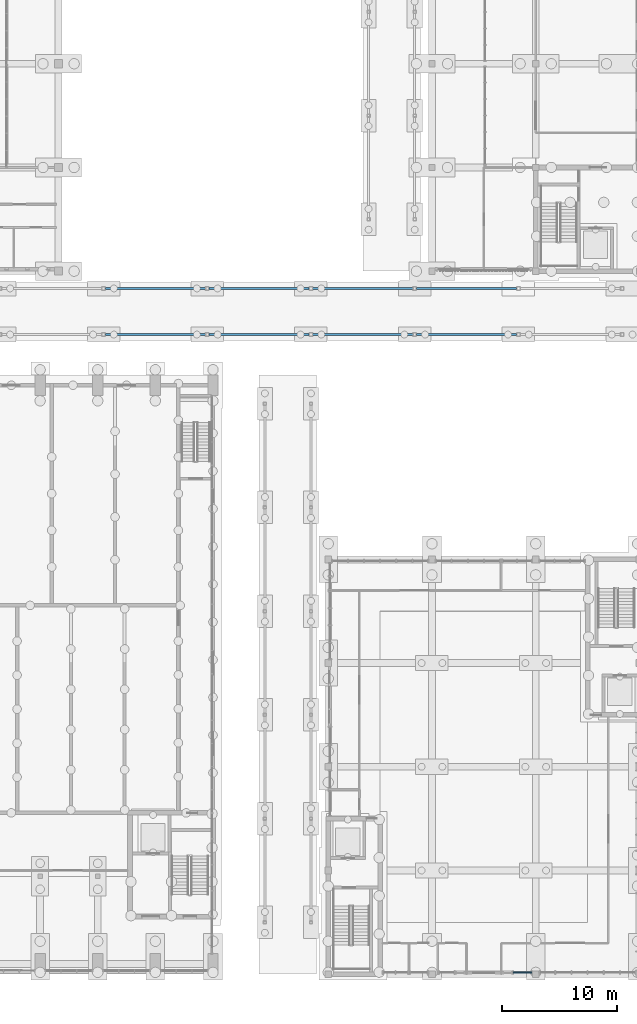
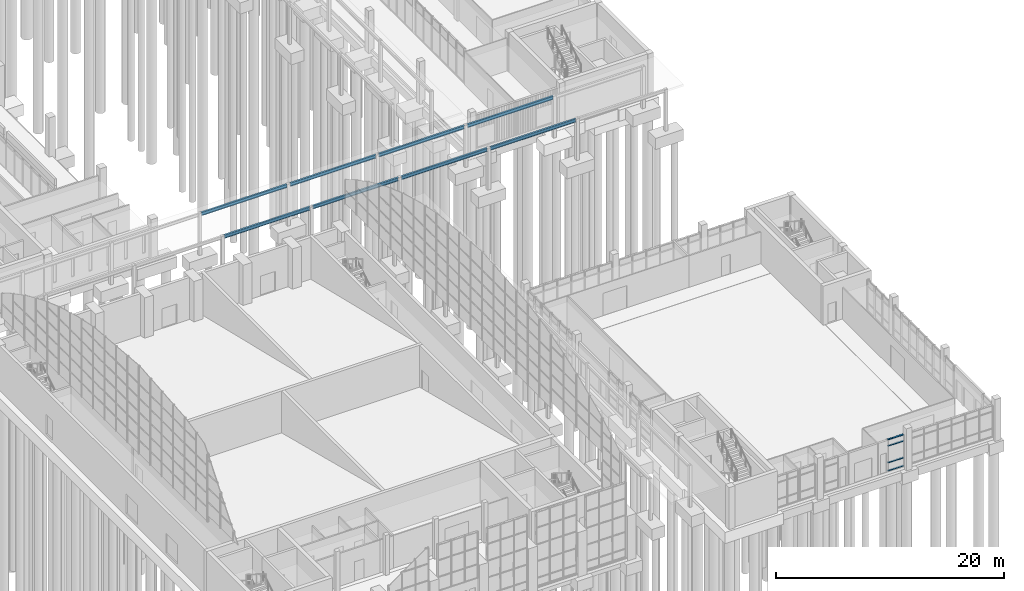
# One storey, part 35 of 106: 8 beams, 4 members, 1 element without a shape of its own.
"""IFC4 building model written with IfcOpenShell, lengths in metres."""

from ifc_helpers import new_model, si_unit, direction, frame, origin, origin_2d, place, context, subcontext, project, spatial, rectangle, i_section, extrude, material, material_profile, profile_set, type_object, element, aggregate, save


model = new_model("IFC4")

# Units and contexts
model_context = context("Model", 3, precision=1e-05, world=origin(), true_north=direction((0.0, 1.0)))
body_context = subcontext(model_context, "Body", "Model", "MODEL_VIEW")
ifc_project = project(units=[si_unit("LENGTHUNIT", "METRE"), si_unit("AREAUNIT", "SQUARE_METRE"), si_unit("VOLUMEUNIT", "CUBIC_METRE"), si_unit("PLANEANGLEUNIT", "RADIAN"), si_unit("MASSUNIT", "GRAM", prefix="KILO")], contexts=[model_context])

# Site, building, storey
site_placement = place(None, origin())
site = spatial("IfcSite", under=ifc_project, at=site_placement, CompositionType="ELEMENT")
building_placement = place(site_placement, origin())
building = spatial("IfcBuilding", under=site, at=building_placement, Name="Merrow Basin Faculty of Sciences", CompositionType="ELEMENT")
storey_placement = place(building_placement, origin())
storey = spatial("IfcBuildingStorey", under=building, at=storey_placement, Name="L00", CompositionType="ELEMENT", Elevation=0.0)

# Curtain wall, members
ifc_material_1 = material(Name="Aluminium alloy 6063", Category="aluminium")
curtain_wall_type = type_object("IfcCurtainWallType", Name="Atrium concourse curtain wall 300", PredefinedType="NOTDEFINED", material=ifc_material_1)
curtain_wall_placement = place(storey_placement, origin())
curtain_wall = element("IfcCurtainWall", 1, at=curtain_wall_placement, inside=storey, type_object=curtain_wall_type, Name="S curtain wall L00 4", PredefinedType="NOTDEFINED")
ifc_material_2 = material(Name="Aluminium alloy 6063", Category="aluminium")
ifc_material_profile_1 = material_profile(ifc_material_2, rectangle(XDim=0.1201171875, YDim=0.06005859375, at=origin_2d()))
ifc_profile_set_1 = profile_set([ifc_material_profile_1], Name="Aluminium alloy 6063")
member_type = type_object("IfcMemberType", Name="Aluminium transom 60x120", PredefinedType="USERDEFINED", material=ifc_profile_set_1)
member_1_placement = place(storey_placement, frame((61.06005859375, 0.14990234375, 0.030029296875), z_axis=(1.0, 0.0, 0.0), x_axis=(0.0, 1.0, 0.0)))
member_1 = element("IfcMember", 2, at=member_1_placement, type_object=member_type, Name="CW6 transom 1.1", ObjectType="TRANSOM", PredefinedType="USERDEFINED", context=body_context, shape_type="SweptSolid", body=[
    extrude(rectangle(XDim=0.1201171875, YDim=0.06005859375, at=origin_2d()), origin(), (0.0, 0.0, 1.0), 1.579833984375),
])
member_2_placement = place(storey_placement, frame((61.06005859375, 0.14990234375, 0.89990234375), z_axis=(1.0, 0.0, 0.0), x_axis=(0.0, 1.0, 0.0)))
member_2 = element("IfcMember", 3, at=member_2_placement, type_object=member_type, Name="CW6 transom 1.2", ObjectType="TRANSOM", PredefinedType="USERDEFINED", context=body_context, shape_type="SweptSolid", body=[
    extrude(rectangle(XDim=0.1201171875, YDim=0.06005859375, at=origin_2d()), origin(), (0.0, 0.0, 1.0), 1.579833984375),
])
member_3_placement = place(storey_placement, frame((61.06005859375, 0.14990234375, 2.699951171875), z_axis=(1.0, 0.0, 0.0), x_axis=(0.0, 1.0, 0.0)))
member_3 = element("IfcMember", 4, at=member_3_placement, type_object=member_type, Name="CW6 transom 1.3", ObjectType="TRANSOM", PredefinedType="USERDEFINED", context=body_context, shape_type="SweptSolid", body=[
    extrude(rectangle(XDim=0.1201171875, YDim=0.06005859375, at=origin_2d()), origin(), (0.0, 0.0, 1.0), 1.579833984375),
])
member_4_placement = place(storey_placement, frame((61.06005859375, 0.14990234375, 3.3701171875), z_axis=(1.0, 0.0, 0.0), x_axis=(0.0, 1.0, 0.0)))
member_4 = element("IfcMember", 5, at=member_4_placement, type_object=member_type, Name="CW6 transom 1.4", ObjectType="TRANSOM", PredefinedType="USERDEFINED", context=body_context, shape_type="SweptSolid", body=[
    extrude(rectangle(XDim=0.1201171875, YDim=0.06005859375, at=origin_2d()), origin(), (0.0, 0.0, 1.0), 1.579833984375),
])
aggregate(curtain_wall, [member_1, member_2, member_3, member_4])

# Beams
ifc_material_3 = material(Name="Steel ASTM A992", Category="steel")
ifc_material_profile_2 = material_profile(ifc_material_3, i_section(OverallWidth=0.1708984375, OverallDepth=0.35498046875, WebThickness=0.007080078125, FlangeThickness=0.01171875, at=origin_2d()))
ifc_profile_set_2 = profile_set([ifc_material_profile_2], Name="Steel ASTM A992")
beam_type = type_object("IfcBeamType", Name="Canopy beam W360x51", PredefinedType="BEAM", material=ifc_profile_set_2)
beam_1_placement = place(storey_placement, frame((25.652099609375, 55.5, 4.001953125), z_axis=(1.0, 0.0, 0.0), x_axis=(0.0, 1.0, 0.0)))
element("IfcBeam", 6, at=beam_1_placement, inside=storey, type_object=beam_type, Name="CB1 L00 004", PredefinedType="BEAM", context=body_context, shape_type="SweptSolid", body=[
    extrude(i_section(OverallWidth=0.1708984375, OverallDepth=0.35498046875, WebThickness=0.007080078125, FlangeThickness=0.01171875, at=origin_2d()), origin(), (0.0, 0.0, 1.0), 8.69482421875),
])
for number, where, z_axis, x_axis, name in (
    (7, (34.653076171875, 55.5, 4.001953125), (1.0, 0.0, 0.0), (0.0, 1.0, 0.0), "CB1 L00 005"),
    (8, (43.653076171875, 55.5, 4.001953125), (1.0, 0.0, 0.0), (0.0, 1.0, 0.0), "CB1 L00 006"),
    (9, (52.653076171875, 55.5, 4.001953125), (1.0, 0.0, 0.0), (0.0, 1.0, 0.0), "CB1 L00 007"),
):
    element("IfcBeam", number, at=place(storey_placement, frame(where, z_axis=z_axis, x_axis=x_axis)), inside=storey, type_object=beam_type, Name=name, PredefinedType="BEAM", context=body_context, shape_type="SweptSolid", body=[
        extrude(i_section(OverallWidth=0.1708984375, OverallDepth=0.35498046875, WebThickness=0.007080078125, FlangeThickness=0.01171875, at=origin_2d()), origin(), (0.0, 0.0, 1.0), 8.69384765625),
    ])
beam_2_placement = place(storey_placement, frame((25.652099609375, 59.5, 4.001953125), z_axis=(1.0, 0.0, 0.0), x_axis=(0.0, 1.0, 0.0)))
element("IfcBeam", 10, at=beam_2_placement, inside=storey, type_object=beam_type, Name="CB1 L00 012", PredefinedType="BEAM", context=body_context, shape_type="SweptSolid", body=[
    extrude(i_section(OverallWidth=0.1708984375, OverallDepth=0.35498046875, WebThickness=0.007080078125, FlangeThickness=0.01171875, at=origin_2d()), origin(), (0.0, 0.0, 1.0), 8.69482421875),
])
for number, where, z_axis, x_axis, name in (
    (11, (34.653076171875, 59.5, 4.001953125), (1.0, 0.0, 0.0), (0.0, 1.0, 0.0), "CB1 L00 013"),
    (12, (43.653076171875, 59.5, 4.001953125), (1.0, 0.0, 0.0), (0.0, 1.0, 0.0), "CB1 L00 014"),
    (13, (52.653076171875, 59.5, 4.001953125), (1.0, 0.0, 0.0), (0.0, 1.0, 0.0), "CB1 L00 015"),
):
    element("IfcBeam", number, at=place(storey_placement, frame(where, z_axis=z_axis, x_axis=x_axis)), inside=storey, type_object=beam_type, Name=name, PredefinedType="BEAM", context=body_context, shape_type="SweptSolid", body=[
        extrude(i_section(OverallWidth=0.1708984375, OverallDepth=0.35498046875, WebThickness=0.007080078125, FlangeThickness=0.01171875, at=origin_2d()), origin(), (0.0, 0.0, 1.0), 8.69384765625),
    ])

save(model, "model.ifc")
